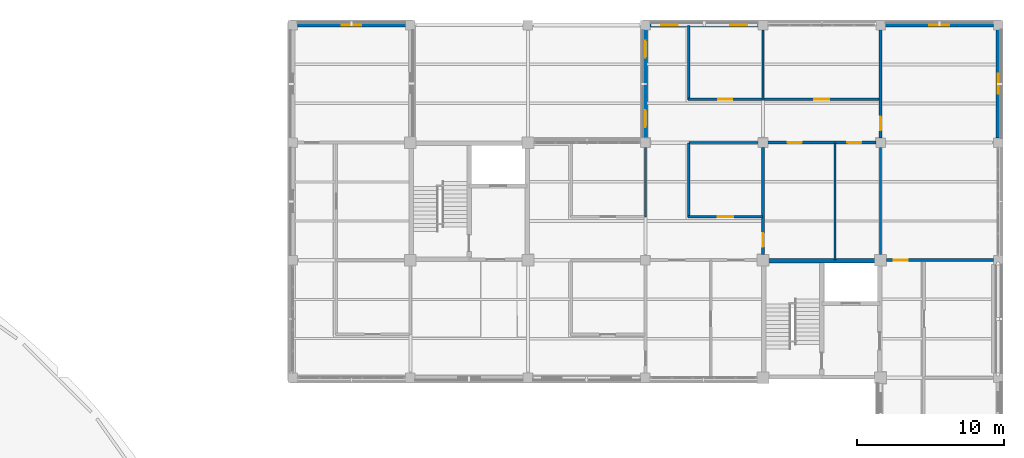
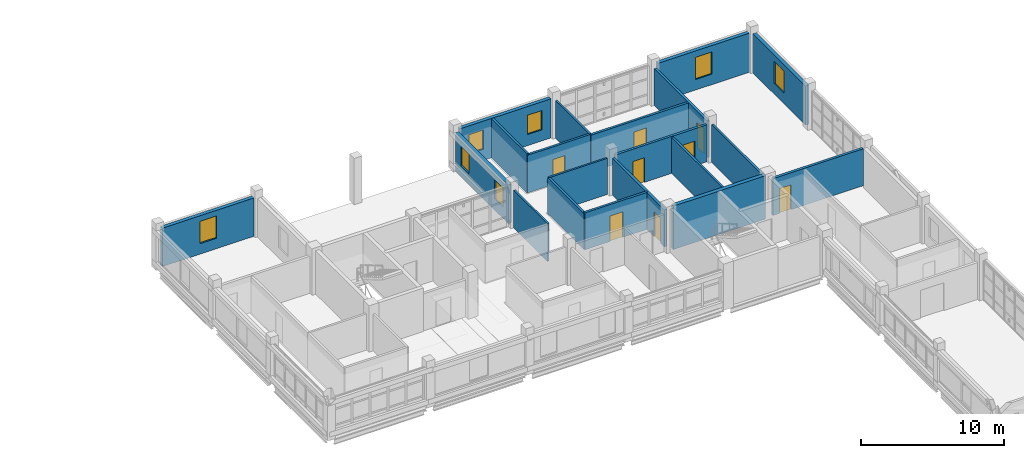
# One storey, part 104 of 126: 20 walls, 8 doors, 7 windows, 15 openings.
"""IFC4 building model written with IfcOpenShell, lengths in metres."""

import ifcopenshell
import ifcopenshell.guid

model = None  # the IFC model being written
_history = None  # IfcOwnerHistory: only IFC2X3 demands one
_inside = {}  # id of a spatial element -> (the spatial element, [elements in it])
_under = {}  # id of a project, library or spatial element -> (it, [spatial elements below it])
_declared = {}  # id of a project -> (the project, [libraries it declares])
_typed = {}  # id of a type object -> (the type object, [elements of that type])
_made_of = {}  # id of a material, layer set ... -> (it, [elements and type objects made of it])


def new_model(schema):
    """Start an empty IFC model of exactly this schema.

    Asked for "IFC4X3", IfcOpenShell would pick the latest addendum, in which some entities
    have other attributes; the version numbers below select the first issue.
    IFC2X3 requires an IfcOwnerHistory on every rooted entity: one is made here for all.
    """
    global model, _history
    if schema == "IFC4X3":
        model = ifcopenshell.file(schema_version=(4, 3, 0, 0))
    else:
        model = ifcopenshell.file(schema=schema)
    _inside.clear()
    _under.clear()
    _declared.clear()
    _typed.clear()
    _made_of.clear()
    _history = None
    if model.schema == "IFC2X3":
        org = make("IfcOrganization", Name="unknown")
        user = make(
            "IfcPersonAndOrganization",
            ThePerson=make("IfcPerson", FamilyName="unknown"),
            TheOrganization=org,
        )
        app = make(
            "IfcApplication",
            ApplicationDeveloper=org,
            Version="unknown",
            ApplicationFullName="unknown",
            ApplicationIdentifier="unknown",
        )
        _history = make(
            "IfcOwnerHistory",
            OwningUser=user,
            OwningApplication=app,
            ChangeAction="ADDED",
            CreationDate=0,
        )
    return model


def make(cls, **values):
    """One entity of the class cls with the attributes given. An attribute that is None is left unset."""
    return model.create_entity(
        cls, **{name: value for name, value in values.items() if value is not None}
    )


def rooted(cls, **values):
    """An entity with a GlobalId (a new one), such as an element, a storey or a relation."""
    return make(cls, GlobalId=ifcopenshell.guid.new(), OwnerHistory=_history, **values)


def si_unit(unit_type, name, prefix=None):
    """IfcSIUnit, for example si_unit("LENGTHUNIT", "METRE", prefix="MILLI")."""
    return make("IfcSIUnit", UnitType=unit_type, Prefix=prefix, Name=name)


def derived_unit(unit_type, elements):
    """IfcDerivedUnit: a product of units, each with its exponent."""
    return make(
        "IfcDerivedUnit",
        Elements=[
            make("IfcDerivedUnitElement", Unit=unit, Exponent=power)
            for unit, power in elements
        ],
        UnitType=unit_type,
    )


def assignment(units):
    """IfcUnitAssignment: the units of a project."""
    return None if units is None else make("IfcUnitAssignment", Units=units)


def point(xyz):
    """IfcCartesianPoint."""
    return None if xyz is None else make("IfcCartesianPoint", Coordinates=xyz)


def direction(xyz):
    """IfcDirection."""
    return None if xyz is None else make("IfcDirection", DirectionRatios=xyz)


def frame(location, z_axis=None, x_axis=None):
    """IfcAxis2Placement3D, a coordinate frame: its origin and axes. An axis left out is left unset."""
    return make(
        "IfcAxis2Placement3D",
        Location=point(location),
        Axis=direction(z_axis),
        RefDirection=direction(x_axis),
    )


def frame_2d(location, x_axis=None):
    """IfcAxis2Placement2D, a coordinate frame in the plane: its origin and x axis."""
    return make(
        "IfcAxis2Placement2D", Location=point(location), RefDirection=direction(x_axis)
    )


def origin():
    """The frame at (0, 0, 0) with its axes left unset."""
    return frame((0.0, 0.0, 0.0))


def place(relative_to, where):
    """IfcLocalPlacement: puts the frame where relative to a parent placement (None: the world)."""
    return make(
        "IfcLocalPlacement", PlacementRelTo=relative_to, RelativePlacement=where
    )


def context(
    kind, dimensions, precision=None, world=None, true_north=None, identifier=None
):
    """IfcGeometricRepresentationContext, for example the 3D "Model" context."""
    return make(
        "IfcGeometricRepresentationContext",
        ContextIdentifier=identifier,
        ContextType=kind,
        CoordinateSpaceDimension=dimensions,
        Precision=precision,
        WorldCoordinateSystem=world,
        TrueNorth=true_north,
    )


def subcontext(parent, identifier, kind, view, scale=None):
    """IfcGeometricRepresentationSubContext, for example "Body" below "Model"."""
    return make(
        "IfcGeometricRepresentationSubContext",
        ContextIdentifier=identifier,
        ContextType=kind,
        ParentContext=parent,
        TargetScale=scale,
        TargetView=view,
    )


def project(units=None, contexts=None):
    """IfcProject with its units and contexts."""
    return rooted(
        "IfcProject",
        Name="project",
        RepresentationContexts=contexts,
        UnitsInContext=assignment(units),
    )


def spatial(cls, under=None, at=None, **own):
    """A site, building, storey or space (cls), placed at a placement, below another one or the project."""
    s = rooted(cls, ObjectPlacement=at, **own)
    if under is not None:
        _under.setdefault(under.id(), (under, []))[1].append(s)
    return s


def profile(cls, at=None, kind="AREA", **sizes):
    """A parametric profile (cls). Its sizes go by their IFC names, for example OverallWidth=200.0."""
    return make(cls, ProfileType=kind, Position=at, **sizes)


def rectangle(**sizes):
    """IfcRectangleProfileDef."""
    return profile("IfcRectangleProfileDef", **sizes)


def extrude(swept, where, along, depth):
    """IfcExtrudedAreaSolid: the profile swept, set in the frame where, extruded along a direction by depth."""
    return make(
        "IfcExtrudedAreaSolid",
        SweptArea=swept,
        Position=where,
        ExtrudedDirection=direction(along),
        Depth=depth,
    )


def shape(context_of_items, identifier, shape_type, items):
    """IfcShapeRepresentation: the items that make up one representation, for example the "Body"."""
    return make(
        "IfcShapeRepresentation",
        ContextOfItems=context_of_items,
        RepresentationIdentifier=identifier,
        RepresentationType=shape_type,
        Items=items,
    )


def material(Name=None, Category=None):
    """IfcMaterial."""
    return make("IfcMaterial", Name=Name, Category=Category)


def layer(
    of_material, thickness, ventilated=None, Name=None, Category=None, Priority=None
):
    """IfcMaterialLayer: one layer of a wall or slab, of a material (None: an air gap)."""
    return make(
        "IfcMaterialLayer",
        Material=of_material,
        LayerThickness=thickness,
        IsVentilated=ventilated,
        Name=Name,
        Category=Category,
        Priority=Priority,
    )


def layer_set(layers, Name=None):
    """IfcMaterialLayerSet."""
    return make("IfcMaterialLayerSet", MaterialLayers=layers, LayerSetName=Name)


def made_of(thing, what):
    """Note that an element or type object is made of a material, layer set ...; save() writes the relation."""
    if what is not None:
        _made_of.setdefault(what.id(), (what, []))[1].append(thing)
    return thing


def type_object(cls, material=None, **own):
    """A type object (cls), such as IfcWallType, which elements share."""
    return made_of(rooted(cls, **own), material)


def element(
    cls,
    number,
    at=None,
    inside=None,
    cuts=None,
    type_object=None,
    material=None,
    context=None,
    identifier="Body",
    shape_type=None,
    held_by="IfcProductDefinitionShape",
    body=None,
    shapes=None,
    **own,
):
    """One element of the class cls, such as IfcWall. Its Tag is "e" and its number.

    at: its placement. inside: the storey or other place that contains it. cuts: it is an
    opening in that element (IfcRelVoidsElement). A single representation is given by context,
    identifier, shape_type and body (its items); several are given by shapes. held_by: the class
    of the entity that holds the representations. save() writes the other relations.
    """
    e = rooted(cls, Tag="e%d" % number, ObjectPlacement=at, **own)
    if body is not None:
        shapes = [shape(context, identifier, shape_type, body)]
    if shapes is not None:
        e.Representation = make(held_by, Representations=shapes)
    if inside is not None:
        _inside.setdefault(inside.id(), (inside, []))[1].append(e)
    if cuts is not None:
        rooted(
            "IfcRelVoidsElement", RelatingBuildingElement=cuts, RelatedOpeningElement=e
        )
    if type_object is not None:
        _typed.setdefault(type_object.id(), (type_object, []))[1].append(e)
    return made_of(e, material)


def fill(opening, filler):
    """IfcRelFillsElement: the door or window that sits in an opening."""
    return rooted(
        "IfcRelFillsElement",
        RelatingOpeningElement=opening,
        RelatedBuildingElement=filler,
    )


def aggregate(whole, parts):
    """IfcRelAggregates: a whole, such as a stair, and the parts it consists of."""
    return rooted("IfcRelAggregates", RelatingObject=whole, RelatedObjects=parts)


def save(model, path):
    """Write the relations noted so far, then the file.

    IfcRelAggregates (storeys below a building ...), IfcRelContainedInSpatialStructure (elements
    in a storey), IfcRelDefinesByType, IfcRelAssociatesMaterial and IfcRelDeclares: one each for
    every whole, place, type object, material and project.
    """
    for whole, parts in _under.values():
        aggregate(whole, parts)
    for where, things in _inside.values():
        rooted(
            "IfcRelContainedInSpatialStructure",
            RelatedElements=things,
            RelatingStructure=where,
        )
    for kind, things in _typed.values():
        rooted("IfcRelDefinesByType", RelatedObjects=things, RelatingType=kind)
    for what, things in _made_of.values():
        rooted("IfcRelAssociatesMaterial", RelatedObjects=things, RelatingMaterial=what)
    for by, libraries in _declared.values():
        rooted("IfcRelDeclares", RelatingContext=by, RelatedDefinitions=libraries)
    model.write(path)


model = new_model("IFC4")

# Units and contexts
model_context = context("Model", 3, precision=1e-05, world=origin(), true_north=direction((0.0, 1.0)))
body_context = subcontext(model_context, "Body", "Model", "MODEL_VIEW")
ifc_project = project(units=[si_unit("LENGTHUNIT", "METRE"), si_unit("AREAUNIT", "SQUARE_METRE"), si_unit("VOLUMEUNIT", "CUBIC_METRE"), si_unit("PLANEANGLEUNIT", "RADIAN"), si_unit("MASSUNIT", "GRAM", prefix="KILO"), derived_unit("THERMALTRANSMITTANCEUNIT", [(si_unit("MASSUNIT", "GRAM", prefix="KILO"), 1), (si_unit("TIMEUNIT", "SECOND"), -3), (si_unit("THERMODYNAMICTEMPERATUREUNIT", "KELVIN"), -1)])], contexts=[model_context])

# Site, building, storey
site_placement = place(None, origin())
site = spatial("IfcSite", under=ifc_project, at=site_placement, CompositionType="ELEMENT")
building_placement = place(site_placement, origin())
building = spatial("IfcBuilding", under=site, at=building_placement, Name="Veyamyaing Civic Hall", CompositionType="ELEMENT")
storey_placement = place(building_placement, frame((0.0, 0.0, 9.89990234375)))
storey = spatial("IfcBuildingStorey", under=building, at=storey_placement, Name="L02", CompositionType="ELEMENT", Elevation=9.89990234375)

# Wall, opening, window
ifc_material_1 = material(Name="Precast concrete C40/50", Category="concrete")
ifc_layer_1 = layer(ifc_material_1, 0.280029296875, Name="Precast concrete C40/50")
ifc_layer_set_1 = layer_set([ifc_layer_1], Name="Precast concrete C40/50")
wall_type_1 = type_object("IfcWallType", Name="WT-04", PredefinedType="SOLIDWALL", material=ifc_layer_set_1)
wall_1_placement = place(storey_placement, frame((128.31005859375, 112.0, 0.0), z_axis=(0.0, 0.0, 1.0), x_axis=(1.0, 0.0, 0.0)))
wall_1 = element("IfcWall", 1, at=wall_1_placement, inside=storey, type_object=wall_type_1, Name="Exterior facade wall WT-04 L02 N 17.14", PredefinedType="SOLIDWALL", context=body_context, shape_type="SweptSolid", body=[
    extrude(rectangle(XDim=7.3798828125, YDim=0.280029296875, at=frame_2d((3.68994140625, 0.0))), origin(), (0.0, 0.0, 1.0), 3.280029296875),
])
opening_1_placement = place(wall_1_placement, frame((3.014892578125, 0.0, 0.89990234375)))
opening_1 = element("IfcOpeningElement", 2, at=opening_1_placement, cuts=wall_1, Name="Opening W-13", PredefinedType="OPENING", context=body_context, shape_type="SweptSolid", body=[
    extrude(rectangle(XDim=1.35009765625, YDim=1.89990234375, at=frame_2d((0.675048828125, 0.949951171875))), frame((0.0, 0.14990234375, 0.0), z_axis=(0.0, -1.0, 0.0), x_axis=(1.0, 0.0, 0.0)), (0.0, 0.0, 1.0), 0.300048828125),
])
ifc_material_2 = material(Name="Low-E insulated glass", Category="glass")
window_type_1 = type_object("IfcWindowType", Name="W-13", PartitioningType="SINGLE_PANEL", PredefinedType="WINDOW", material=ifc_material_2)
window_1_placement = place(opening_1_placement, origin())
window_1 = element("IfcWindow", 3, at=window_1_placement, inside=storey, type_object=window_type_1, Name="Facade window W-13 L02 N 17.14", OverallHeight=1.89990234375, OverallWidth=1.35009765625, PartitioningType="SINGLE_PANEL", PredefinedType="WINDOW", context=body_context, shape_type="SweptSolid", body=[
    extrude(rectangle(XDim=1.35009765625, YDim=1.89990234375, at=frame_2d((0.675048828125, 0.949951171875))), frame((0.0, 0.030029296875, 0.0), z_axis=(0.0, -1.0, 0.0), x_axis=(1.0, 0.0, 0.0)), (0.0, 0.0, 1.0), 0.06005859375),
])
fill(opening_1, window_1)

# Wall, openings, windows
wall_2_placement = place(storey_placement, frame((152.31005859375, 112.0, 0.0), z_axis=(0.0, 0.0, 1.0), x_axis=(1.0, 0.0, 0.0)))
wall_2 = element("IfcWall", 4, at=wall_2_placement, inside=storey, type_object=wall_type_1, Name="Exterior facade wall WT-04 L02 N 20.14", PredefinedType="SOLIDWALL", context=body_context, shape_type="SweptSolid", body=[
    extrude(rectangle(XDim=7.3798828125, YDim=0.280029296875, at=frame_2d((3.68994140625, 0.0))), origin(), (0.0, 0.0, 1.0), 3.34716796875),
])
opening_2_placement = place(wall_2_placement, frame((0.75341796875, 0.0, 0.949951171875)))
opening_2 = element("IfcOpeningElement", 5, at=opening_2_placement, cuts=wall_2, Name="Opening W-32", PredefinedType="OPENING", context=body_context, shape_type="SweptSolid", body=[
    extrude(rectangle(XDim=1.14990234375, YDim=1.64990234375, at=frame_2d((0.574951171875, 0.824951171875))), frame((0.0, 0.14990234375, 0.0), z_axis=(0.0, -1.0, 0.0), x_axis=(1.0, 0.0, 0.0)), (0.0, 0.0, 1.0), 0.300048828125),
])
opening_3_placement = place(wall_2_placement, frame((5.4765625, 0.0, 0.949951171875)))
opening_3 = element("IfcOpeningElement", 6, at=opening_3_placement, cuts=wall_2, Name="Opening W-32", PredefinedType="OPENING", context=body_context, shape_type="SweptSolid", body=[
    extrude(rectangle(XDim=1.14990234375, YDim=1.64990234375, at=frame_2d((0.574951171875, 0.824951171875))), frame((0.0, 0.14990234375, 0.0), z_axis=(0.0, -1.0, 0.0), x_axis=(1.0, 0.0, 0.0)), (0.0, 0.0, 1.0), 0.300048828125),
])
window_type_2 = type_object("IfcWindowType", Name="W-32", PartitioningType="SINGLE_PANEL", PredefinedType="WINDOW", material=ifc_material_2)
window_2_placement = place(opening_2_placement, origin())
window_2 = element("IfcWindow", 7, at=window_2_placement, inside=storey, type_object=window_type_2, Name="Facade window W-32 L02 N 20.14.1", OverallHeight=1.64990234375, OverallWidth=1.14990234375, PartitioningType="SINGLE_PANEL", PredefinedType="WINDOW", context=body_context, shape_type="SweptSolid", body=[
    extrude(rectangle(XDim=1.14990234375, YDim=1.64990234375, at=frame_2d((0.574951171875, 0.824951171875))), frame((0.0, 0.030029296875, 0.0), z_axis=(0.0, -1.0, 0.0), x_axis=(1.0, 0.0, 0.0)), (0.0, 0.0, 1.0), 0.06005859375),
])
fill(opening_2, window_2)
window_3_placement = place(opening_3_placement, origin())
window_3 = element("IfcWindow", 8, at=window_3_placement, inside=storey, type_object=window_type_2, Name="Facade window W-32 L02 N 20.14.2", OverallHeight=1.64990234375, OverallWidth=1.14990234375, PartitioningType="SINGLE_PANEL", PredefinedType="WINDOW", context=body_context, shape_type="SweptSolid", body=[
    extrude(rectangle(XDim=1.14990234375, YDim=1.64990234375, at=frame_2d((0.574951171875, 0.824951171875))), frame((0.0, 0.030029296875, 0.0), z_axis=(0.0, -1.0, 0.0), x_axis=(1.0, 0.0, 0.0)), (0.0, 0.0, 1.0), 0.06005859375),
])
fill(opening_3, window_3)

wall_3_placement = place(storey_placement, frame((152.0, 104.31005859375, 0.0), z_axis=(0.0, 0.0, 1.0), x_axis=(0.0, 1.0, 0.0)))
wall_3 = element("IfcWall", 9, at=wall_3_placement, inside=storey, type_object=wall_type_1, Name="Exterior facade wall WT-04 L02 W 20.14", PredefinedType="SOLIDWALL", context=body_context, shape_type="SweptSolid", body=[
    extrude(rectangle(XDim=7.3798828125, YDim=0.280029296875, at=frame_2d((3.68994140625, 0.0))), origin(), (0.0, 0.0, 1.0), 3.2841796875),
])
opening_4_placement = place(wall_3_placement, frame((0.75341796875, 0.0, 0.949951171875)))
opening_4 = element("IfcOpeningElement", 10, at=opening_4_placement, cuts=wall_3, Name="Opening W-32", PredefinedType="OPENING", context=body_context, shape_type="SweptSolid", body=[
    extrude(rectangle(XDim=1.14990234375, YDim=1.64990234375, at=frame_2d((0.574951171875, 0.824951171875))), frame((0.0, 0.14990234375, 0.0), z_axis=(0.0, -1.0, 0.0), x_axis=(1.0, 0.0, 0.0)), (0.0, 0.0, 1.0), 0.300048828125),
])
opening_5_placement = place(wall_3_placement, frame((5.4765625, 0.0, 0.949951171875)))
opening_5 = element("IfcOpeningElement", 11, at=opening_5_placement, cuts=wall_3, Name="Opening W-32", PredefinedType="OPENING", context=body_context, shape_type="SweptSolid", body=[
    extrude(rectangle(XDim=1.14990234375, YDim=1.64990234375, at=frame_2d((0.574951171875, 0.824951171875))), frame((0.0, 0.14990234375, 0.0), z_axis=(0.0, -1.0, 0.0), x_axis=(1.0, 0.0, 0.0)), (0.0, 0.0, 1.0), 0.300048828125),
])
window_4_placement = place(opening_4_placement, origin())
window_4 = element("IfcWindow", 12, at=window_4_placement, inside=storey, type_object=window_type_2, Name="Facade window W-32 L02 W 20.14.1", OverallHeight=1.64990234375, OverallWidth=1.14990234375, PartitioningType="SINGLE_PANEL", PredefinedType="WINDOW", context=body_context, shape_type="SweptSolid", body=[
    extrude(rectangle(XDim=1.14990234375, YDim=1.64990234375, at=frame_2d((0.574951171875, 0.824951171875))), frame((0.0, 0.030029296875, 0.0), z_axis=(0.0, -1.0, 0.0), x_axis=(1.0, 0.0, 0.0)), (0.0, 0.0, 1.0), 0.06005859375),
])
fill(opening_4, window_4)
window_5_placement = place(opening_5_placement, origin())
window_5 = element("IfcWindow", 13, at=window_5_placement, inside=storey, type_object=window_type_2, Name="Facade window W-32 L02 W 20.14.2", OverallHeight=1.64990234375, OverallWidth=1.14990234375, PartitioningType="SINGLE_PANEL", PredefinedType="WINDOW", context=body_context, shape_type="SweptSolid", body=[
    extrude(rectangle(XDim=1.14990234375, YDim=1.64990234375, at=frame_2d((0.574951171875, 0.824951171875))), frame((0.0, 0.030029296875, 0.0), z_axis=(0.0, -1.0, 0.0), x_axis=(1.0, 0.0, 0.0)), (0.0, 0.0, 1.0), 0.06005859375),
])
fill(opening_5, window_5)

# Wall, opening, window
wall_4_placement = place(storey_placement, frame((168.31005859375, 112.0, 0.0), z_axis=(0.0, 0.0, 1.0), x_axis=(1.0, 0.0, 0.0)))
wall_4 = element("IfcWall", 14, at=wall_4_placement, inside=storey, type_object=wall_type_1, Name="Exterior facade wall WT-04 L02 N 22.14", PredefinedType="SOLIDWALL", context=body_context, shape_type="SweptSolid", body=[
    extrude(rectangle(XDim=7.3798828125, YDim=0.280029296875, at=frame_2d((3.68994140625, 0.0))), origin(), (0.0, 0.0, 1.0), 3.343994140625),
])
opening_6_placement = place(wall_4_placement, frame((3.014892578125, 0.0, 0.89990234375)))
opening_6 = element("IfcOpeningElement", 15, at=opening_6_placement, cuts=wall_4, Name="Opening W-13", PredefinedType="OPENING", context=body_context, shape_type="SweptSolid", body=[
    extrude(rectangle(XDim=1.35009765625, YDim=1.89990234375, at=frame_2d((0.675048828125, 0.949951171875))), frame((0.0, 0.14990234375, 0.0), z_axis=(0.0, -1.0, 0.0), x_axis=(1.0, 0.0, 0.0)), (0.0, 0.0, 1.0), 0.300048828125),
])
window_6_placement = place(opening_6_placement, origin())
window_6 = element("IfcWindow", 16, at=window_6_placement, inside=storey, type_object=window_type_1, Name="Facade window W-13 L02 N 22.14", OverallHeight=1.89990234375, OverallWidth=1.35009765625, PartitioningType="SINGLE_PANEL", PredefinedType="WINDOW", context=body_context, shape_type="SweptSolid", body=[
    extrude(rectangle(XDim=1.35009765625, YDim=1.89990234375, at=frame_2d((0.675048828125, 0.949951171875))), frame((0.0, 0.030029296875, 0.0), z_axis=(0.0, -1.0, 0.0), x_axis=(1.0, 0.0, 0.0)), (0.0, 0.0, 1.0), 0.06005859375),
])
fill(opening_6, window_6)

wall_5_placement = place(storey_placement, frame((176.0, 104.31005859375, 0.0), z_axis=(0.0, 0.0, 1.0), x_axis=(0.0, 1.0, 0.0)))
wall_5 = element("IfcWall", 17, at=wall_5_placement, inside=storey, type_object=wall_type_1, Name="Exterior facade wall WT-04 L02 E 22.14", PredefinedType="SOLIDWALL", context=body_context, shape_type="SweptSolid", body=[
    extrude(rectangle(XDim=7.3798828125, YDim=0.280029296875, at=frame_2d((3.68994140625, 0.0))), origin(), (0.0, 0.0, 1.0), 3.343994140625),
])
opening_7_placement = place(wall_5_placement, frame((3.014892578125, 0.0, 0.89990234375)))
opening_7 = element("IfcOpeningElement", 18, at=opening_7_placement, cuts=wall_5, Name="Opening W-13", PredefinedType="OPENING", context=body_context, shape_type="SweptSolid", body=[
    extrude(rectangle(XDim=1.35009765625, YDim=1.89990234375, at=frame_2d((0.675048828125, 0.949951171875))), frame((0.0, 0.14990234375, 0.0), z_axis=(0.0, -1.0, 0.0), x_axis=(1.0, 0.0, 0.0)), (0.0, 0.0, 1.0), 0.300048828125),
])
window_7_placement = place(opening_7_placement, origin())
window_7 = element("IfcWindow", 19, at=window_7_placement, inside=storey, type_object=window_type_1, Name="Facade window W-13 L02 E 22.14", OverallHeight=1.89990234375, OverallWidth=1.35009765625, PartitioningType="SINGLE_PANEL", PredefinedType="WINDOW", context=body_context, shape_type="SweptSolid", body=[
    extrude(rectangle(XDim=1.35009765625, YDim=1.89990234375, at=frame_2d((0.675048828125, 0.949951171875))), frame((0.0, 0.030029296875, 0.0), z_axis=(0.0, -1.0, 0.0), x_axis=(1.0, 0.0, 0.0)), (0.0, 0.0, 1.0), 0.06005859375),
])
fill(opening_7, window_7)

# Wall
ifc_material_3 = material(Name="Concrete C40/50", Category="concrete")
ifc_layer_2 = layer(ifc_material_3, 0.300048828125, Name="Concrete C40/50")
ifc_layer_set_2 = layer_set([ifc_layer_2], Name="Concrete C40/50")
wall_type_2 = type_object("IfcWallType", Name="WT-05", PredefinedType="SHEAR", material=ifc_layer_set_2)
wall_6_placement = place(storey_placement, frame((160.2900390625, 95.949951171875, 0.0), z_axis=(0.0, 0.0, 1.0), x_axis=(1.0, 0.0, 0.0)))
element("IfcWall", 20, at=wall_6_placement, inside=storey, type_object=wall_type_2, Name="Core shear wall WT-05 CORE-3 L02.N", PredefinedType="SHEAR", context=body_context, shape_type="SweptSolid", body=[
    extrude(rectangle(XDim=7.419921875, YDim=0.300048828125, at=frame_2d((3.7099609375, 0.0))), origin(), (0.0, 0.0, 1.0), 3.705078125),
])

# Wall, opening, door
ifc_layer_3 = layer(ifc_material_3, 0.199951171875, Name="Concrete C40/50")
ifc_layer_set_3 = layer_set([ifc_layer_3], Name="Concrete C40/50")
wall_type_3 = type_object("IfcWallType", Name="WT-06", PredefinedType="PARTITIONING", material=ifc_layer_set_3)
wall_7_placement = place(storey_placement, frame((160.0, 96.389892578125, 0.0), z_axis=(0.0, 0.0, 1.0), x_axis=(0.0, 1.0, 0.0)))
wall_7 = element("IfcWall", 21, at=wall_7_placement, inside=storey, type_object=wall_type_3, Name="Interior partition wall WT-06 L02.58", PredefinedType="PARTITIONING", context=body_context, shape_type="SweptSolid", body=[
    extrude(rectangle(XDim=7.295166015625, YDim=0.199951171875, at=frame_2d((3.6474609375, 0.0))), origin(), (0.0, 0.0, 1.0), 3.156982421875),
])
opening_8_placement = place(wall_7_placement, frame((0.52001953125, 0.0, 0.0)))
opening_8 = element("IfcOpeningElement", 22, at=opening_8_placement, cuts=wall_7, Name="Opening D-30", PredefinedType="OPENING", context=body_context, shape_type="SweptSolid", body=[
    extrude(rectangle(XDim=0.93994140625, YDim=2.1201171875, at=frame_2d((0.469970703125, 1.06005859375))), frame((0.0, 0.10986328125, 0.0), z_axis=(0.0, -1.0, 0.0), x_axis=(1.0, 0.0, 0.0)), (0.0, 0.0, 1.0), 0.219970703125),
])
ifc_material_4 = material(Name="Teak-veneered acoustic timber", Category="wood")
door_type_1 = type_object("IfcDoorType", Name="D-30", OperationType="NOTDEFINED", PredefinedType="DOOR", material=ifc_material_4)
door_1_placement = place(opening_8_placement, frame((0.93994140625, 0.0, 0.0), z_axis=(0.0, 0.0, 1.0), x_axis=(-1.0, 0.0, 0.0)))
door_1 = element("IfcDoor", 23, at=door_1_placement, inside=storey, type_object=door_type_1, Name="Interior door D-30 L02.58", OperationType="SINGLE_SWING_RIGHT", OverallHeight=2.1201171875, OverallWidth=0.93994140625, PredefinedType="DOOR", context=body_context, shape_type="SweptSolid", body=[
    extrude(rectangle(XDim=0.93994140625, YDim=2.1201171875, at=frame_2d((0.469970703125, 1.06005859375))), frame((0.0, 0.02490234375, 0.0), z_axis=(0.0, -1.0, 0.0), x_axis=(1.0, 0.0, 0.0)), (0.0, 0.0, 1.0), 0.050048828125),
])
fill(opening_8, door_1)

# Wall, openings, doors
wall_8_placement = place(storey_placement, frame((160.31494140625, 104.0, 0.0), z_axis=(0.0, 0.0, 1.0), x_axis=(1.0, 0.0, 0.0)))
wall_8 = element("IfcWall", 24, at=wall_8_placement, inside=storey, type_object=wall_type_3, Name="Interior partition wall WT-06 L02.65", PredefinedType="PARTITIONING", context=body_context, shape_type="SweptSolid", body=[
    extrude(rectangle(XDim=7.3701171875, YDim=0.199951171875, at=frame_2d((3.68505859375, 0.0))), origin(), (0.0, 0.0, 1.0), 3.156982421875),
])
opening_9_placement = place(wall_8_placement, frame((1.367431640625, 0.0, 0.0)))
opening_9 = element("IfcOpeningElement", 25, at=opening_9_placement, cuts=wall_8, Name="Opening D-15", PredefinedType="OPENING", context=body_context, shape_type="SweptSolid", body=[
    extrude(rectangle(XDim=0.949951171875, YDim=2.10009765625, at=frame_2d((0.47509765625, 1.050048828125))), frame((0.0, 0.10986328125, 0.0), z_axis=(0.0, -1.0, 0.0), x_axis=(1.0, 0.0, 0.0)), (0.0, 0.0, 1.0), 0.219970703125),
])
opening_10_placement = place(wall_8_placement, frame((5.4208984375, 0.0, 0.0)))
opening_10 = element("IfcOpeningElement", 26, at=opening_10_placement, cuts=wall_8, Name="Opening D-15", PredefinedType="OPENING", context=body_context, shape_type="SweptSolid", body=[
    extrude(rectangle(XDim=0.949951171875, YDim=2.10009765625, at=frame_2d((0.47509765625, 1.050048828125))), frame((0.0, 0.10986328125, 0.0), z_axis=(0.0, -1.0, 0.0), x_axis=(1.0, 0.0, 0.0)), (0.0, 0.0, 1.0), 0.219970703125),
])
door_type_2 = type_object("IfcDoorType", Name="D-15", OperationType="NOTDEFINED", PredefinedType="DOOR", material=ifc_material_4)
door_2_placement = place(opening_9_placement, frame((0.949951171875, 0.0, 0.0), z_axis=(0.0, 0.0, 1.0), x_axis=(-1.0, 0.0, 0.0)))
door_2 = element("IfcDoor", 27, at=door_2_placement, inside=storey, type_object=door_type_2, Name="Interior room door D-15 L02.65.1", OperationType="SINGLE_SWING_LEFT", OverallHeight=2.10009765625, OverallWidth=0.949951171875, PredefinedType="DOOR", context=body_context, shape_type="SweptSolid", body=[
    extrude(rectangle(XDim=0.949951171875, YDim=2.10009765625, at=frame_2d((0.47509765625, 1.050048828125))), frame((0.0, 0.02490234375, 0.0), z_axis=(0.0, -1.0, 0.0), x_axis=(1.0, 0.0, 0.0)), (0.0, 0.0, 1.0), 0.050048828125),
])
fill(opening_9, door_2)
door_3_placement = place(opening_10_placement, frame((0.949951171875, 0.0, 0.0), z_axis=(0.0, 0.0, 1.0), x_axis=(-1.0, 0.0, 0.0)))
door_3 = element("IfcDoor", 28, at=door_3_placement, inside=storey, type_object=door_type_2, Name="Interior room door D-15 L02.65.2", OperationType="SINGLE_SWING_RIGHT", OverallHeight=2.10009765625, OverallWidth=0.949951171875, PredefinedType="DOOR", context=body_context, shape_type="SweptSolid", body=[
    extrude(rectangle(XDim=0.949951171875, YDim=2.10009765625, at=frame_2d((0.47509765625, 1.050048828125))), frame((0.0, 0.02490234375, 0.0), z_axis=(0.0, -1.0, 0.0), x_axis=(1.0, 0.0, 0.0)), (0.0, 0.0, 1.0), 0.050048828125),
])
fill(opening_10, door_3)

# Wall, opening, door
wall_9_placement = place(storey_placement, frame((168.0, 104.31494140625, 0.0), z_axis=(0.0, 0.0, 1.0), x_axis=(0.0, 1.0, 0.0)))
wall_9 = element("IfcWall", 29, at=wall_9_placement, inside=storey, type_object=wall_type_3, Name="Interior partition wall WT-06 L02.66", PredefinedType="PARTITIONING", context=body_context, shape_type="SweptSolid", body=[
    extrude(rectangle(XDim=7.3701171875, YDim=0.199951171875, at=frame_2d((3.68505859375, 0.0))), origin(), (0.0, 0.0, 1.0), 3.151123046875),
])
opening_11_placement = place(wall_9_placement, frame((0.52001953125, 0.0, 0.0)))
opening_11 = element("IfcOpeningElement", 30, at=opening_11_placement, cuts=wall_9, Name="Opening D-30", PredefinedType="OPENING", context=body_context, shape_type="SweptSolid", body=[
    extrude(rectangle(XDim=0.93994140625, YDim=2.1201171875, at=frame_2d((0.469970703125, 1.06005859375))), frame((0.0, 0.10986328125, 0.0), z_axis=(0.0, -1.0, 0.0), x_axis=(1.0, 0.0, 0.0)), (0.0, 0.0, 1.0), 0.219970703125),
])
door_4_placement = place(opening_11_placement, frame((0.93994140625, 0.0, 0.0), z_axis=(0.0, 0.0, 1.0), x_axis=(-1.0, 0.0, 0.0)))
door_4 = element("IfcDoor", 31, at=door_4_placement, inside=storey, type_object=door_type_1, Name="Interior door D-30 L02.66", OperationType="SINGLE_SWING_LEFT", OverallHeight=2.1201171875, OverallWidth=0.93994140625, PredefinedType="DOOR", context=body_context, shape_type="SweptSolid", body=[
    extrude(rectangle(XDim=0.93994140625, YDim=2.1201171875, at=frame_2d((0.469970703125, 1.06005859375))), frame((0.0, 0.02490234375, 0.0), z_axis=(0.0, -1.0, 0.0), x_axis=(1.0, 0.0, 0.0)), (0.0, 0.0, 1.0), 0.050048828125),
])
fill(opening_11, door_4)

wall_10_placement = place(storey_placement, frame((168.389892578125, 96.0, 0.0), z_axis=(0.0, 0.0, 1.0), x_axis=(1.0, 0.0, 0.0)))
wall_10 = element("IfcWall", 32, at=wall_10_placement, inside=storey, type_object=wall_type_3, Name="Interior partition wall WT-06 L02.72", PredefinedType="PARTITIONING", context=body_context, shape_type="SweptSolid", body=[
    extrude(rectangle(XDim=7.295166015625, YDim=0.199951171875, at=frame_2d((3.6474609375, 0.0))), origin(), (0.0, 0.0, 1.0), 3.156982421875),
])
opening_12_placement = place(wall_10_placement, frame((0.52001953125, 0.0, 0.0)))
opening_12 = element("IfcOpeningElement", 33, at=opening_12_placement, cuts=wall_10, Name="Opening D-30", PredefinedType="OPENING", context=body_context, shape_type="SweptSolid", body=[
    extrude(rectangle(XDim=0.93994140625, YDim=2.1201171875, at=frame_2d((0.469970703125, 1.06005859375))), frame((0.0, 0.10986328125, 0.0), z_axis=(0.0, -1.0, 0.0), x_axis=(1.0, 0.0, 0.0)), (0.0, 0.0, 1.0), 0.219970703125),
])
door_5_placement = place(opening_12_placement, origin())
door_5 = element("IfcDoor", 34, at=door_5_placement, inside=storey, type_object=door_type_1, Name="Interior door D-30 L02.72", OperationType="SINGLE_SWING_RIGHT", OverallHeight=2.1201171875, OverallWidth=0.93994140625, PredefinedType="DOOR", context=body_context, shape_type="SweptSolid", body=[
    extrude(rectangle(XDim=0.93994140625, YDim=2.1201171875, at=frame_2d((0.469970703125, 1.06005859375))), frame((0.0, 0.02490234375, 0.0), z_axis=(0.0, -1.0, 0.0), x_axis=(1.0, 0.0, 0.0)), (0.0, 0.0, 1.0), 0.050048828125),
])
fill(opening_12, door_5)

ifc_material_5 = material(Name="Gypsum board on acoustic steel stud", Category="steel")
ifc_layer_4 = layer(ifc_material_5, 0.175048828125, Name="Gypsum board on acoustic steel stud")
ifc_layer_set_4 = layer_set([ifc_layer_4], Name="Gypsum board on acoustic steel stud")
wall_type_4 = type_object("IfcWallType", Name="WT-07", PredefinedType="PARTITIONING", material=ifc_layer_set_4)
wall_11_placement = place(storey_placement, frame((154.89990234375, 106.949951171875, 0.0), z_axis=(0.0, 0.0, 1.0), x_axis=(1.0, 0.0, 0.0)))
wall_11 = element("IfcWall", 35, at=wall_11_placement, inside=storey, type_object=wall_type_4, Name="Corridor gallery partition WT-07 L02.63.1", PredefinedType="PARTITIONING", context=body_context, shape_type="SweptSolid", body=[
    extrude(rectangle(XDim=5.080078125, YDim=0.175048828125, at=frame_2d((2.5400390625, 0.0))), origin(), (0.0, 0.0, 1.0), 3.22705078125),
])
opening_13_placement = place(wall_11_placement, frame((2.06005859375, 0.0, 0.0)))
opening_13 = element("IfcOpeningElement", 36, at=opening_13_placement, cuts=wall_11, Name="Opening D-25", PredefinedType="OPENING", context=body_context, shape_type="SweptSolid", body=[
    extrude(rectangle(XDim=0.9599609375, YDim=2.139892578125, at=frame_2d((0.47998046875, 1.06982421875))), frame((0.0, 0.097412109375, 0.0), z_axis=(0.0, -1.0, 0.0), x_axis=(1.0, 0.0, 0.0)), (0.0, 0.0, 1.0), 0.195068359375),
])
door_type_3 = type_object("IfcDoorType", Name="D-25", OperationType="NOTDEFINED", PredefinedType="DOOR", material=ifc_material_4)
door_6_placement = place(opening_13_placement, origin())
door_6 = element("IfcDoor", 37, at=door_6_placement, inside=storey, type_object=door_type_3, Name="Gallery office door D-25 L02.63", OperationType="SINGLE_SWING_LEFT", OverallHeight=2.139892578125, OverallWidth=0.9599609375, PredefinedType="DOOR", context=body_context, shape_type="SweptSolid", body=[
    extrude(rectangle(XDim=0.9599609375, YDim=2.139892578125, at=frame_2d((0.47998046875, 1.06982421875))), frame((0.0, 0.02490234375, 0.0), z_axis=(0.0, -1.0, 0.0), x_axis=(1.0, 0.0, 0.0)), (0.0, 0.0, 1.0), 0.050048828125),
])
fill(opening_13, door_6)

# Walls
wall_12_placement = place(storey_placement, frame((154.949951171875, 106.89990234375, 0.0), z_axis=(0.0, 0.0, 1.0), x_axis=(0.0, 1.0, 0.0)))
element("IfcWall", 38, at=wall_12_placement, inside=storey, type_object=wall_type_4, Name="Corridor gallery partition WT-07 L02.63.2", PredefinedType="PARTITIONING", context=body_context, shape_type="SweptSolid", body=[
    extrude(rectangle(XDim=5.080078125, YDim=0.175048828125, at=frame_2d((2.5400390625, 0.0))), origin(), (0.0, 0.0, 1.0), 3.340087890625),
])
ifc_material_6 = material(Name="Gypsum board on steel stud", Category="steel")
ifc_layer_5 = layer(ifc_material_6, 0.14990234375, Name="Gypsum board on steel stud")
ifc_layer_set_5 = layer_set([ifc_layer_5], Name="Gypsum board on steel stud")
wall_type_5 = type_object("IfcWallType", Name="WT-08", PredefinedType="PARTITIONING", material=ifc_layer_set_5)
wall_13_placement = place(storey_placement, frame((152.0, 98.949951171875, 0.0), z_axis=(0.0, 0.0, 1.0), x_axis=(0.0, 1.0, 0.0)))
element("IfcWall", 39, at=wall_13_placement, inside=storey, type_object=wall_type_5, Name="Gallery office end partition WT-08 L02.59.2", PredefinedType="PARTITIONING", context=body_context, shape_type="SweptSolid", body=[
    extrude(rectangle(XDim=4.715087890625, YDim=0.14990234375, at=frame_2d((2.357421875, 0.0))), origin(), (0.0, 0.0, 1.0), 3.22119140625),
])
wall_14_placement = place(storey_placement, frame((154.949951171875, 104.0, 0.0), z_axis=(0.0, 0.0, 1.0), x_axis=(1.0, 0.0, 0.0)))
element("IfcWall", 40, at=wall_14_placement, inside=storey, type_object=wall_type_5, Name="Gallery office end partition WT-08 L02.62.1", PredefinedType="PARTITIONING", context=body_context, shape_type="SweptSolid", body=[
    extrude(rectangle(XDim=4.715087890625, YDim=0.14990234375, at=frame_2d((2.357421875, 0.0))), origin(), (0.0, 0.0, 1.0), 3.08203125),
])
wall_15_placement = place(storey_placement, frame((160.0, 106.949951171875, 0.0), z_axis=(0.0, 0.0, 1.0), x_axis=(0.0, 1.0, 0.0)))
element("IfcWall", 41, at=wall_15_placement, inside=storey, type_object=wall_type_5, Name="Gallery office end partition WT-08 L02.63.2", PredefinedType="PARTITIONING", context=body_context, shape_type="SweptSolid", body=[
    extrude(rectangle(XDim=4.715087890625, YDim=0.14990234375, at=frame_2d((2.357421875, 0.0))), origin(), (0.0, 0.0, 1.0), 3.22705078125),
])
ifc_material_7 = material(Name="Cement-board wet-area partition")
ifc_layer_6 = layer(ifc_material_7, 0.159912109375, Name="Cement-board wet-area partition")
ifc_layer_set_6 = layer_set([ifc_layer_6], Name="Cement-board wet-area partition")
wall_type_6 = type_object("IfcWallType", Name="WT-14", PredefinedType="PARTITIONING", material=ifc_layer_set_6)
wall_16_placement = place(storey_placement, frame((168.0, 96.389892578125, 0.0), z_axis=(0.0, 0.0, 1.0), x_axis=(0.0, 1.0, 0.0)))
element("IfcWall", 42, at=wall_16_placement, inside=storey, type_object=wall_type_6, Name="Interior partition wall WT-14 L02.64", PredefinedType="PARTITIONING", context=body_context, shape_type="SweptSolid", body=[
    extrude(rectangle(XDim=7.295166015625, YDim=0.159912109375, at=frame_2d((3.6474609375, 0.0))), origin(), (0.0, 0.0, 1.0), 3.22705078125),
])
wall_17_placement = place(storey_placement, frame((164.89990234375, 96.02001953125, 0.0), z_axis=(0.0, 0.0, 1.0), x_axis=(0.0, 1.0, 0.0)))
element("IfcWall", 43, at=wall_17_placement, inside=storey, type_object=wall_type_6, Name="Sub-bay room partition WT-14 L02.4", PredefinedType="PARTITIONING", context=body_context, shape_type="SweptSolid", body=[
    extrude(rectangle(XDim=7.9599609375, YDim=0.159912109375, at=frame_2d((3.97998046875, 0.0))), origin(), (0.0, 0.0, 1.0), 3.08203125),
])

# Wall, opening, door
ifc_material_8 = material(Name="Gypsum board on double acoustic stud")
ifc_layer_7 = layer(ifc_material_8, 0.18505859375, Name="Gypsum board on double acoustic stud")
ifc_layer_set_7 = layer_set([ifc_layer_7], Name="Gypsum board on double acoustic stud")
wall_type_7 = type_object("IfcWallType", Name="WT-19", PredefinedType="PARTITIONING", material=ifc_layer_set_7)
wall_18_placement = place(storey_placement, frame((154.89990234375, 98.949951171875, 0.0), z_axis=(0.0, 0.0, 1.0), x_axis=(1.0, 0.0, 0.0)))
wall_18 = element("IfcWall", 44, at=wall_18_placement, inside=storey, type_object=wall_type_7, Name="Corridor gallery partition WT-19 L02.62.1", PredefinedType="PARTITIONING", context=body_context, shape_type="SweptSolid", body=[
    extrude(rectangle(XDim=5.080078125, YDim=0.18505859375, at=frame_2d((2.5400390625, 0.0))), origin(), (0.0, 0.0, 1.0), 3.156982421875),
])
opening_14_placement = place(wall_18_placement, frame((2.02001953125, 0.0, 0.0)))
opening_14 = element("IfcOpeningElement", 45, at=opening_14_placement, cuts=wall_18, Name="Opening D-24", PredefinedType="OPENING", context=body_context, shape_type="SweptSolid", body=[
    extrude(rectangle(XDim=1.0400390625, YDim=2.179931640625, at=frame_2d((0.52001953125, 1.08984375))), frame((0.0, 0.1025390625, 0.0), z_axis=(0.0, -1.0, 0.0), x_axis=(1.0, 0.0, 0.0)), (0.0, 0.0, 1.0), 0.205078125),
])
door_type_4 = type_object("IfcDoorType", Name="D-24", OperationType="NOTDEFINED", PredefinedType="DOOR", material=ifc_material_4)
door_7_placement = place(opening_14_placement, origin())
door_7 = element("IfcDoor", 46, at=door_7_placement, inside=storey, type_object=door_type_4, Name="Gallery office door D-24 L02.62", OperationType="SINGLE_SWING_RIGHT", OverallHeight=2.179931640625, OverallWidth=1.0400390625, PredefinedType="DOOR", context=body_context, shape_type="SweptSolid", body=[
    extrude(rectangle(XDim=1.0400390625, YDim=2.179931640625, at=frame_2d((0.52001953125, 1.08984375))), frame((0.0, 0.02490234375, 0.0), z_axis=(0.0, -1.0, 0.0), x_axis=(1.0, 0.0, 0.0)), (0.0, 0.0, 1.0), 0.050048828125),
])
fill(opening_14, door_7)

# Wall
wall_19_placement = place(storey_placement, frame((154.949951171875, 98.89990234375, 0.0), z_axis=(0.0, 0.0, 1.0), x_axis=(0.0, 1.0, 0.0)))
element("IfcWall", 47, at=wall_19_placement, inside=storey, type_object=wall_type_7, Name="Corridor gallery partition WT-19 L02.62.2", PredefinedType="PARTITIONING", context=body_context, shape_type="SweptSolid", body=[
    extrude(rectangle(XDim=5.080078125, YDim=0.18505859375, at=frame_2d((2.5400390625, 0.0))), origin(), (0.0, 0.0, 1.0), 3.08203125),
])

# Wall, opening, door
wall_20_placement = place(storey_placement, frame((160.02001953125, 106.949951171875, 0.0), z_axis=(0.0, 0.0, 1.0), x_axis=(1.0, 0.0, 0.0)))
wall_20 = element("IfcWall", 48, at=wall_20_placement, inside=storey, type_object=wall_type_7, Name="Corridor gallery partition WT-19 L02.70.1", PredefinedType="PARTITIONING", context=body_context, shape_type="SweptSolid", body=[
    extrude(rectangle(XDim=7.9599609375, YDim=0.18505859375, at=frame_2d((3.97998046875, 0.0))), origin(), (0.0, 0.0, 1.0), 3.151123046875),
])
opening_15_placement = place(wall_20_placement, frame((3.469970703125, 0.0, 0.0)))
opening_15 = element("IfcOpeningElement", 49, at=opening_15_placement, cuts=wall_20, Name="Opening D-19", PredefinedType="OPENING", context=body_context, shape_type="SweptSolid", body=[
    extrude(rectangle(XDim=1.02001953125, YDim=2.199951171875, at=frame_2d((0.510009765625, 1.10009765625))), frame((0.0, 0.1025390625, 0.0), z_axis=(0.0, -1.0, 0.0), x_axis=(1.0, 0.0, 0.0)), (0.0, 0.0, 1.0), 0.205078125),
])
door_type_5 = type_object("IfcDoorType", Name="D-19", OperationType="NOTDEFINED", PredefinedType="DOOR", material=ifc_material_4)
door_8_placement = place(opening_15_placement, origin())
door_8 = element("IfcDoor", 50, at=door_8_placement, inside=storey, type_object=door_type_5, Name="Gallery office door D-19 L02.70", OperationType="SINGLE_SWING_RIGHT", OverallHeight=2.199951171875, OverallWidth=1.02001953125, PredefinedType="DOOR", context=body_context, shape_type="SweptSolid", body=[
    extrude(rectangle(XDim=1.02001953125, YDim=2.199951171875, at=frame_2d((0.510009765625, 1.10009765625))), frame((0.0, 0.02490234375, 0.0), z_axis=(0.0, -1.0, 0.0), x_axis=(1.0, 0.0, 0.0)), (0.0, 0.0, 1.0), 0.050048828125),
])
fill(opening_15, door_8)

save(model, "model.ifc")
